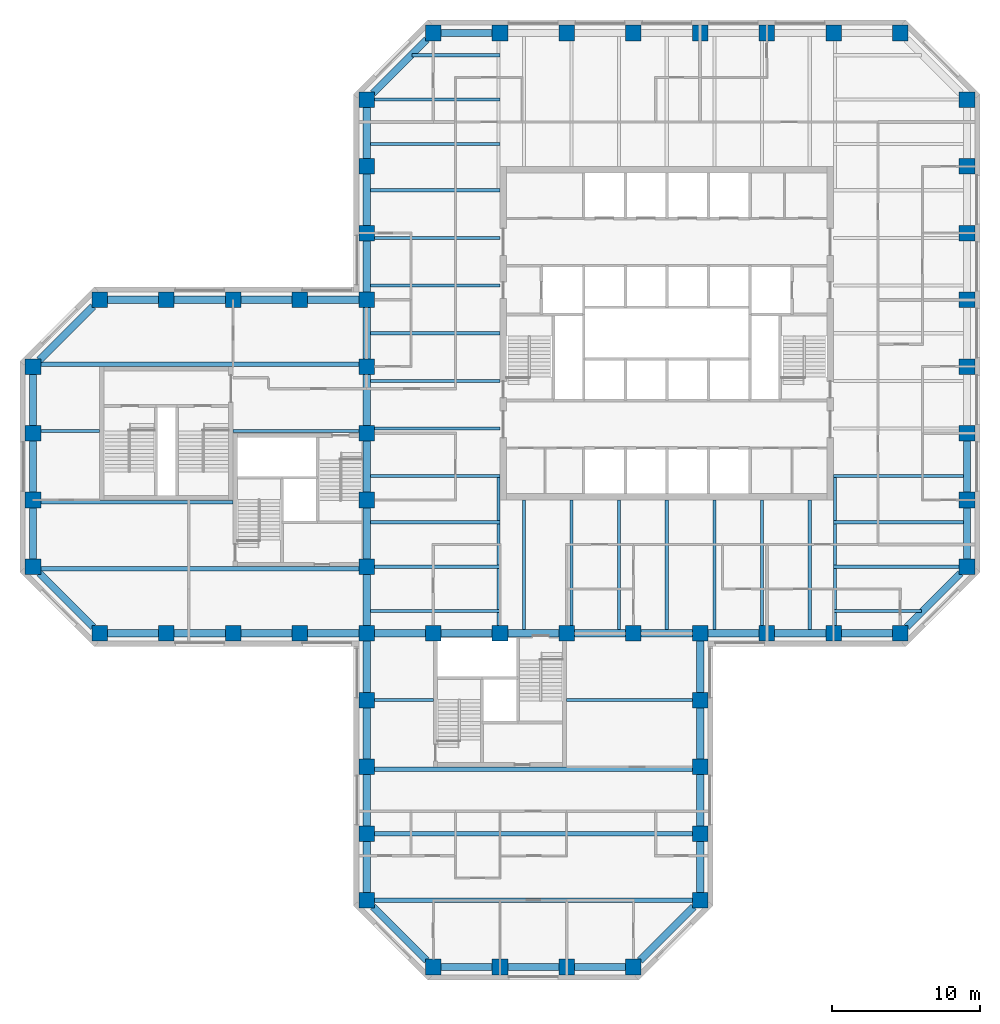
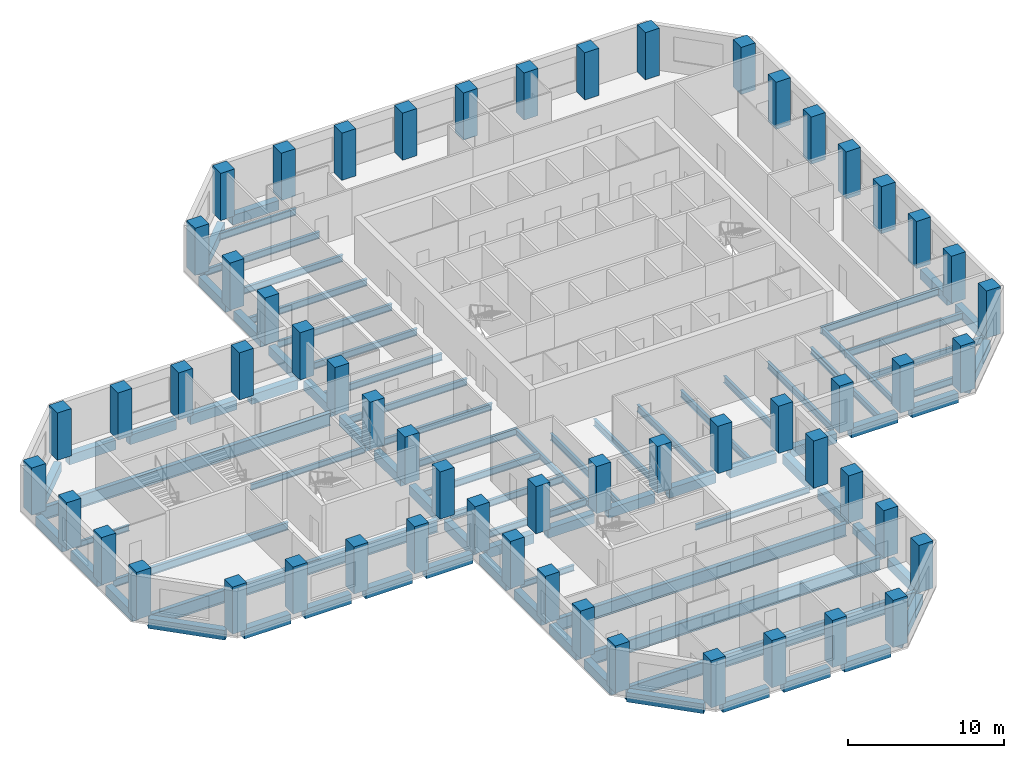
# One storey, part 1 of 11: 83 beams, 57 columns.
"""IFC4 building model written with IfcOpenShell, lengths in metres."""

from ifc_helpers import new_model, si_unit, direction, frame, origin, origin_2d, place, context, subcontext, project, spatial, rectangle, i_section, extrude, material, material_profile, profile_set, type_object, element, save


model = new_model("IFC4")

# Units and contexts
model_context = context("Model", 3, precision=1e-05, world=origin(), true_north=direction((0.0, 1.0)))
body_context = subcontext(model_context, "Body", "Model", "MODEL_VIEW")
ifc_project = project(units=[si_unit("LENGTHUNIT", "METRE"), si_unit("AREAUNIT", "SQUARE_METRE"), si_unit("VOLUMEUNIT", "CUBIC_METRE"), si_unit("PLANEANGLEUNIT", "RADIAN"), si_unit("MASSUNIT", "GRAM", prefix="KILO")], contexts=[model_context])

# Site, building, storey
site_placement = place(None, origin())
site = spatial("IfcSite", under=ifc_project, at=site_placement, CompositionType="ELEMENT")
building_placement = place(site_placement, origin())
building = spatial("IfcBuilding", under=site, at=building_placement, Name="Quoin Convention Tower", CompositionType="ELEMENT")
storey_placement = place(building_placement, frame((0.0, 0.0, 130.699951171875)))
storey = spatial("IfcBuildingStorey", under=building, at=storey_placement, Name="L34", CompositionType="ELEMENT", Elevation=130.699951171875)

# Columns
ifc_material_1 = material(Name="Concrete C65", Category="concrete")
ifc_material_profile_1 = material_profile(ifc_material_1, rectangle(XDim=1.050048828125, YDim=1.050048828125, at=origin_2d()), Name="RC 1050x1050")
ifc_profile_set_1 = profile_set([ifc_material_profile_1], Name="Concrete C65")
column_type = type_object("IfcColumnType", Name="RC 1050x1050 C65", PredefinedType="COLUMN", material=ifc_profile_set_1)
for number, where, z_axis, x_axis, name in (
    (1, (40.5, 18.0, 0.0), (0.0, 0.0, 1.0), (1.0, 0.0, 0.0), "col-L34-40500_18000"),
    (2, (45.0, 18.0, 0.0), (0.0, 0.0, 1.0), (1.0, 0.0, 0.0), "col-L34-45000_18000"),
    (3, (49.5, 18.0, 0.0), (0.0, 0.0, 1.0), (1.0, 0.0, 0.0), "col-L34-49500_18000"),
    (4, (54.0, 18.0, 0.0), (0.0, 0.0, 1.0), (1.0, 0.0, 0.0), "col-L34-54000_18000"),
    (5, (36.0, 22.5, 0.0), (0.0, 0.0, 1.0), (1.0, 0.0, 0.0), "col-L34-36000_22500"),
    (6, (58.5, 22.5, 0.0), (0.0, 0.0, 1.0), (1.0, 0.0, 0.0), "col-L34-58500_22500"),
    (7, (36.0, 27.0, 0.0), (0.0, 0.0, 1.0), (1.0, 0.0, 0.0), "col-L34-36000_27000"),
    (8, (58.5, 27.0, 0.0), (0.0, 0.0, 1.0), (1.0, 0.0, 0.0), "col-L34-58500_27000"),
    (9, (36.0, 31.5, 0.0), (0.0, 0.0, 1.0), (1.0, 0.0, 0.0), "col-L34-36000_31500"),
    (10, (58.5, 31.5, 0.0), (0.0, 0.0, 1.0), (1.0, 0.0, 0.0), "col-L34-58500_31500"),
    (11, (36.0, 36.0, 0.0), (0.0, 0.0, 1.0), (1.0, 0.0, 0.0), "col-L34-36000_36000"),
    (12, (58.5, 36.0, 0.0), (0.0, 0.0, 1.0), (1.0, 0.0, 0.0), "col-L34-58500_36000"),
    (13, (18.0, 40.5, 0.0), (0.0, 0.0, 1.0), (1.0, 0.0, 0.0), "col-L34-18000_40500"),
    (14, (22.5, 40.5, 0.0), (0.0, 0.0, 1.0), (1.0, 0.0, 0.0), "col-L34-22500_40500"),
    (15, (27.0, 40.5, 0.0), (0.0, 0.0, 1.0), (1.0, 0.0, 0.0), "col-L34-27000_40500"),
    (16, (31.5, 40.5, 0.0), (0.0, 0.0, 1.0), (1.0, 0.0, 0.0), "col-L34-31500_40500"),
    (17, (36.0, 40.5, 0.0), (0.0, 0.0, 1.0), (1.0, 0.0, 0.0), "col-L34-36000_40500"),
    (18, (40.5, 40.5, 0.0), (0.0, 0.0, 1.0), (1.0, 0.0, 0.0), "web-L34-40500_40500"),
    (19, (45.0, 40.5, 0.0), (0.0, 0.0, 1.0), (1.0, 0.0, 0.0), "web-L34-45000_40500"),
    (20, (49.5, 40.5, 0.0), (0.0, 0.0, 1.0), (1.0, 0.0, 0.0), "web-L34-49500_40500"),
    (21, (54.0, 40.5, 0.0), (0.0, 0.0, 1.0), (1.0, 0.0, 0.0), "web-L34-54000_40500"),
    (22, (58.5, 40.5, 0.0), (0.0, 0.0, 1.0), (1.0, 0.0, 0.0), "col-L34-58500_40500"),
    (23, (63.0, 40.5, 0.0), (0.0, 0.0, 1.0), (1.0, 0.0, 0.0), "col-L34-63000_40500"),
    (24, (67.5, 40.5, 0.0), (0.0, 0.0, 1.0), (1.0, 0.0, 0.0), "col-L34-67500_40500"),
    (25, (72.0, 40.5, 0.0), (0.0, 0.0, 1.0), (1.0, 0.0, 0.0), "col-L34-72000_40500"),
    (26, (13.5, 45.0, 0.0), (0.0, 0.0, 1.0), (1.0, 0.0, 0.0), "col-L34-13500_45000"),
    (27, (36.0, 45.0, 0.0), (0.0, 0.0, 1.0), (1.0, 0.0, 0.0), "web-L34-36000_45000"),
    (28, (76.5, 45.0, 0.0), (0.0, 0.0, 1.0), (1.0, 0.0, 0.0), "col-L34-76500_45000"),
    (29, (13.5, 49.5, 0.0), (0.0, 0.0, 1.0), (1.0, 0.0, 0.0), "col-L34-13500_49500"),
    (30, (36.0, 49.5, 0.0), (0.0, 0.0, 1.0), (1.0, 0.0, 0.0), "web-L34-36000_49500"),
    (31, (76.5, 49.5, 0.0), (0.0, 0.0, 1.0), (1.0, 0.0, 0.0), "col-L34-76500_49500"),
    (32, (13.5, 54.0, 0.0), (0.0, 0.0, 1.0), (1.0, 0.0, 0.0), "col-L34-13500_54000"),
    (33, (36.0, 54.0, 0.0), (0.0, 0.0, 1.0), (1.0, 0.0, 0.0), "web-L34-36000_54000"),
    (34, (76.5, 54.0, 0.0), (0.0, 0.0, 1.0), (1.0, 0.0, 0.0), "col-L34-76500_54000"),
    (35, (13.5, 58.5, 0.0), (0.0, 0.0, 1.0), (1.0, 0.0, 0.0), "col-L34-13500_58500"),
    (36, (36.0, 58.5, 0.0), (0.0, 0.0, 1.0), (1.0, 0.0, 0.0), "web-L34-36000_58500"),
    (37, (76.5, 58.5, 0.0), (0.0, 0.0, 1.0), (1.0, 0.0, 0.0), "col-L34-76500_58500"),
    (38, (18.0, 63.0, 0.0), (0.0, 0.0, 1.0), (1.0, 0.0, 0.0), "col-L34-18000_63000"),
    (39, (22.5, 63.0, 0.0), (0.0, 0.0, 1.0), (1.0, 0.0, 0.0), "col-L34-22500_63000"),
    (40, (27.0, 63.0, 0.0), (0.0, 0.0, 1.0), (1.0, 0.0, 0.0), "col-L34-27000_63000"),
    (41, (31.5, 63.0, 0.0), (0.0, 0.0, 1.0), (1.0, 0.0, 0.0), "col-L34-31500_63000"),
    (42, (36.0, 63.0, 0.0), (0.0, 0.0, 1.0), (1.0, 0.0, 0.0), "col-L34-36000_63000"),
    (43, (76.5, 63.0, 0.0), (0.0, 0.0, 1.0), (1.0, 0.0, 0.0), "col-L34-76500_63000"),
    (44, (36.0, 67.5, 0.0), (0.0, 0.0, 1.0), (1.0, 0.0, 0.0), "col-L34-36000_67500"),
    (45, (76.5, 67.5, 0.0), (0.0, 0.0, 1.0), (1.0, 0.0, 0.0), "col-L34-76500_67500"),
    (46, (36.0, 72.0, 0.0), (0.0, 0.0, 1.0), (1.0, 0.0, 0.0), "col-L34-36000_72000"),
    (47, (76.5, 72.0, 0.0), (0.0, 0.0, 1.0), (1.0, 0.0, 0.0), "col-L34-76500_72000"),
    (48, (36.0, 76.5, 0.0), (0.0, 0.0, 1.0), (1.0, 0.0, 0.0), "col-L34-36000_76500"),
    (49, (76.5, 76.5, 0.0), (0.0, 0.0, 1.0), (1.0, 0.0, 0.0), "col-L34-76500_76500"),
    (50, (40.5, 81.0, 0.0), (0.0, 0.0, 1.0), (1.0, 0.0, 0.0), "col-L34-40500_81000"),
    (51, (45.0, 81.0, 0.0), (0.0, 0.0, 1.0), (1.0, 0.0, 0.0), "col-L34-45000_81000"),
    (52, (49.5, 81.0, 0.0), (0.0, 0.0, 1.0), (1.0, 0.0, 0.0), "col-L34-49500_81000"),
    (53, (54.0, 81.0, 0.0), (0.0, 0.0, 1.0), (1.0, 0.0, 0.0), "col-L34-54000_81000"),
    (54, (58.5, 81.0, 0.0), (0.0, 0.0, 1.0), (1.0, 0.0, 0.0), "col-L34-58500_81000"),
    (55, (63.0, 81.0, 0.0), (0.0, 0.0, 1.0), (1.0, 0.0, 0.0), "col-L34-63000_81000"),
    (56, (67.5, 81.0, 0.0), (0.0, 0.0, 1.0), (1.0, 0.0, 0.0), "col-L34-67500_81000"),
    (57, (72.0, 81.0, 0.0), (0.0, 0.0, 1.0), (1.0, 0.0, 0.0), "col-L34-72000_81000"),
):
    element("IfcColumn", number, at=place(storey_placement, frame(where, z_axis=z_axis, x_axis=x_axis)), inside=storey, type_object=column_type, Name=name, PredefinedType="COLUMN", context=body_context, shape_type="SweptSolid", body=[
        extrude(rectangle(XDim=1.050048828125, YDim=1.050048828125, at=origin_2d()), origin(), (0.0, 0.0, 1.0), 3.699951171875),
    ])

# Beams
ifc_material_2 = material(Name="Steel Grade 300", Category="steel")
ifc_material_profile_2 = material_profile(ifc_material_2, i_section(OverallWidth=0.300048828125, OverallDepth=1.0, WebThickness=0.01611328125, FlangeThickness=0.02001953125, at=origin_2d()), Name="1000WB215")
ifc_profile_set_2 = profile_set([ifc_material_profile_2], Name="Steel Grade 300")
beam_type_1 = type_object("IfcBeamType", Name="1000WB215", PredefinedType="BEAM", material=ifc_profile_set_2)
for number, where, z_axis, x_axis, name in (
    (58, (36.52490234375, 22.5, -0.64990234375), (1.0, 0.0, 0.0), (0.0, 1.0, 0.0), "gir-L34-ST3-1-0"),
    (59, (36.52490234375, 27.0, -0.64990234375), (1.0, 0.0, 0.0), (0.0, 1.0, 0.0), "gir-L34-ST3-2-0"),
    (60, (36.52490234375, 31.35009765625, -0.64990234375), (1.0, 0.0, 0.0), (0.0, 1.0, 0.0), "gir-L34-ST3-3-0"),
    (61, (14.02490234375, 44.85009765625, -0.64990234375), (1.0, 0.0, 0.0), (0.0, 1.0, 0.0), "gir-L34-ST2-1-0"),
    (62, (14.02490234375, 58.64990234375, -0.64990234375), (1.0, 0.0, 0.0), (0.0, 1.0, 0.0), "gir-L34-ST2-4-0"),
):
    element("IfcBeam", number, at=place(storey_placement, frame(where, z_axis=z_axis, x_axis=x_axis)), inside=storey, type_object=beam_type_1, Name=name, PredefinedType="BEAM", context=body_context, shape_type="SweptSolid", body=[
        extrude(i_section(OverallWidth=0.300048828125, OverallDepth=1.0, WebThickness=0.01611328125, FlangeThickness=0.02001953125, at=origin_2d()), origin(), (0.0, 0.0, 1.0), 21.4501953125),
    ])
ifc_material_profile_3 = material_profile(ifc_material_2, i_section(OverallWidth=0.18994140625, OverallDepth=0.4541015625, WebThickness=0.008544921875, FlangeThickness=0.0126953125, FilletRadius=0.011474609375, at=origin_2d()), Name="460UB67.1")
ifc_profile_set_3 = profile_set([ifc_material_profile_3], Name="Steel Grade 300")
beam_type_2 = type_object("IfcBeamType", Name="460UB67.1", PredefinedType="BEAM", material=ifc_profile_set_3)
for number, where, z_axis, x_axis, name in (
    (63, (44.8955078125, 41.02490234375, -0.376953125), (0.0, 1.0, 0.0), (-1.0, 0.0, 0.0), "gir-L34-T1SW"),
    (64, (67.6044921875, 41.02490234375, -0.376953125), (0.0, 1.0, 0.0), (-1.0, 0.0, 0.0), "gir-L34-T1SE"),
):
    element("IfcBeam", number, at=place(storey_placement, frame(where, z_axis=z_axis, x_axis=x_axis)), inside=storey, type_object=beam_type_2, Name=name, PredefinedType="BEAM", context=body_context, shape_type="SweptSolid", body=[
        extrude(i_section(OverallWidth=0.18994140625, OverallDepth=0.4541015625, WebThickness=0.008544921875, FlangeThickness=0.0126953125, FilletRadius=0.011474609375, at=origin_2d()), origin(), (0.0, 0.0, 1.0), 9.977783203125),
    ])
beam_1_placement = place(storey_placement, frame((36.52490234375, 36.0, -0.376953125), z_axis=(1.0, 0.0, 0.0), x_axis=(0.0, 1.0, 0.0)))
element("IfcBeam", 65, at=beam_1_placement, inside=storey, type_object=beam_type_2, Name="gir-L34-ST3-4-0", PredefinedType="BEAM", context=body_context, shape_type="SweptSolid", body=[
    extrude(i_section(OverallWidth=0.18994140625, OverallDepth=0.4541015625, WebThickness=0.008544921875, FlangeThickness=0.0126953125, FilletRadius=0.011474609375, at=origin_2d()), origin(), (0.0, 0.0, 1.0), 3.97509765625),
])
beam_2_placement = place(storey_placement, frame((49.5, 36.0, -0.376953125), z_axis=(1.0, 0.0, 0.0), x_axis=(0.0, 1.0, 0.0)))
element("IfcBeam", 66, at=beam_2_placement, inside=storey, type_object=beam_type_2, Name="gir-L34-ST3-4-1", PredefinedType="BEAM", context=body_context, shape_type="SweptSolid", body=[
    extrude(i_section(OverallWidth=0.18994140625, OverallDepth=0.4541015625, WebThickness=0.008544921875, FlangeThickness=0.0126953125, FilletRadius=0.011474609375, at=origin_2d()), origin(), (0.0, 0.0, 1.0), 8.47509765625),
])
beam_3_placement = place(storey_placement, frame((14.02490234375, 54.14990234375, -0.376953125), z_axis=(1.0, 0.0, 0.0), x_axis=(0.0, 1.0, 0.0)))
element("IfcBeam", 67, at=beam_3_placement, inside=storey, type_object=beam_type_2, Name="gir-L34-ST2-3-0", PredefinedType="BEAM", context=body_context, shape_type="SweptSolid", body=[
    extrude(i_section(OverallWidth=0.18994140625, OverallDepth=0.4541015625, WebThickness=0.008544921875, FlangeThickness=0.0126953125, FilletRadius=0.011474609375, at=origin_2d()), origin(), (0.0, 0.0, 1.0), 3.97509765625),
])
beam_4_placement = place(storey_placement, frame((27.0, 54.14990234375, -0.376953125), z_axis=(1.0, 0.0, 0.0), x_axis=(0.0, 1.0, 0.0)))
element("IfcBeam", 68, at=beam_4_placement, inside=storey, type_object=beam_type_2, Name="gir-L34-ST2-3-1", PredefinedType="BEAM", context=body_context, shape_type="SweptSolid", body=[
    extrude(i_section(OverallWidth=0.18994140625, OverallDepth=0.4541015625, WebThickness=0.008544921875, FlangeThickness=0.0126953125, FilletRadius=0.011474609375, at=origin_2d()), origin(), (0.0, 0.0, 1.0), 8.47509765625),
])
ifc_material_profile_4 = material_profile(ifc_material_2, i_section(OverallWidth=0.208984375, OverallDepth=0.528076171875, WebThickness=0.009521484375, FlangeThickness=0.01318359375, FilletRadius=0.013916015625, at=origin_2d()), Name="530UB82.0")
ifc_profile_set_4 = profile_set([ifc_material_profile_4], Name="Steel Grade 300")
beam_type_3 = type_object("IfcBeamType", Name="530UB82.0", PredefinedType="BEAM", material=ifc_profile_set_4)
beam_5_placement = place(storey_placement, frame((36.25, 51.107177734375, -0.4140625), z_axis=(1.0, 0.0, 0.0), x_axis=(0.0, 1.0, 0.0)))
element("IfcBeam", 69, at=beam_5_placement, inside=storey, type_object=beam_type_3, Name="bm-L34-T1W0", PredefinedType="BEAM", context=body_context, shape_type="SweptSolid", body=[
    extrude(i_section(OverallWidth=0.208984375, OverallDepth=0.528076171875, WebThickness=0.009521484375, FlangeThickness=0.01318359375, FilletRadius=0.013916015625, at=origin_2d()), origin(), (0.0, 0.0, 1.0), 8.75),
])
beam_6_placement = place(storey_placement, frame((36.52490234375, 54.3212890625, -0.4140625), z_axis=(1.0, 0.0, 0.0), x_axis=(0.0, 1.0, 0.0)))
element("IfcBeam", 70, at=beam_6_placement, inside=storey, type_object=beam_type_3, Name="bm-L34-T1W1", PredefinedType="BEAM", context=body_context, shape_type="SweptSolid", body=[
    extrude(i_section(OverallWidth=0.208984375, OverallDepth=0.528076171875, WebThickness=0.009521484375, FlangeThickness=0.01318359375, FilletRadius=0.013916015625, at=origin_2d()), origin(), (0.0, 0.0, 1.0), 8.47509765625),
])
for number, where, z_axis, x_axis, name in (
    (71, (36.25, 57.53564453125, -0.4140625), (1.0, 0.0, 0.0), (0.0, 1.0, 0.0), "bm-L34-T1W2"),
    (72, (36.25, 60.75, -0.4140625), (1.0, 0.0, 0.0), (0.0, 1.0, 0.0), "bm-L34-T1W3"),
    (73, (36.25, 63.96435546875, -0.4140625), (1.0, 0.0, 0.0), (0.0, 1.0, 0.0), "bm-L34-T1W4"),
):
    element("IfcBeam", number, at=place(storey_placement, frame(where, z_axis=z_axis, x_axis=x_axis)), inside=storey, type_object=beam_type_3, Name=name, PredefinedType="BEAM", context=body_context, shape_type="SweptSolid", body=[
        extrude(i_section(OverallWidth=0.208984375, OverallDepth=0.528076171875, WebThickness=0.009521484375, FlangeThickness=0.01318359375, FilletRadius=0.013916015625, at=origin_2d()), origin(), (0.0, 0.0, 1.0), 8.75),
    ])
beam_7_placement = place(storey_placement, frame((36.52490234375, 67.1787109375, -0.4140625), z_axis=(1.0, 0.0, 0.0), x_axis=(0.0, 1.0, 0.0)))
element("IfcBeam", 74, at=beam_7_placement, inside=storey, type_object=beam_type_3, Name="bm-L34-T1W5", PredefinedType="BEAM", context=body_context, shape_type="SweptSolid", body=[
    extrude(i_section(OverallWidth=0.208984375, OverallDepth=0.528076171875, WebThickness=0.009521484375, FlangeThickness=0.01318359375, FilletRadius=0.013916015625, at=origin_2d()), origin(), (0.0, 0.0, 1.0), 8.47509765625),
])
for number, where, z_axis, x_axis, name in (
    (75, (36.25, 70.392822265625, -0.4140625), (1.0, 0.0, 0.0), (0.0, 1.0, 0.0), "bm-L34-T1W6"),
    (76, (67.5, 51.107177734375, -0.4140625), (1.0, 0.0, 0.0), (0.0, 1.0, 0.0), "bm-L34-T1E0"),
    (77, (46.607177734375, 40.75, -0.4140625), (0.0, 1.0, 0.0), (-1.0, 0.0, 0.0), "bm-L34-T1S0"),
):
    element("IfcBeam", number, at=place(storey_placement, frame(where, z_axis=z_axis, x_axis=x_axis)), inside=storey, type_object=beam_type_3, Name=name, PredefinedType="BEAM", context=body_context, shape_type="SweptSolid", body=[
        extrude(i_section(OverallWidth=0.208984375, OverallDepth=0.528076171875, WebThickness=0.009521484375, FlangeThickness=0.01318359375, FilletRadius=0.013916015625, at=origin_2d()), origin(), (0.0, 0.0, 1.0), 8.75),
    ])
beam_8_placement = place(storey_placement, frame((49.8212890625, 41.02490234375, -0.4140625), z_axis=(0.0, 1.0, 0.0), x_axis=(-1.0, 0.0, 0.0)))
element("IfcBeam", 78, at=beam_8_placement, inside=storey, type_object=beam_type_3, Name="bm-L34-T1S1", PredefinedType="BEAM", context=body_context, shape_type="SweptSolid", body=[
    extrude(i_section(OverallWidth=0.208984375, OverallDepth=0.528076171875, WebThickness=0.009521484375, FlangeThickness=0.01318359375, FilletRadius=0.013916015625, at=origin_2d()), origin(), (0.0, 0.0, 1.0), 8.47509765625),
])
for number, where, z_axis, x_axis, name in (
    (79, (53.03564453125, 40.75, -0.4140625), (0.0, 1.0, 0.0), (-1.0, 0.0, 0.0), "bm-L34-T1S2"),
    (80, (56.25, 40.75, -0.4140625), (0.0, 1.0, 0.0), (-1.0, 0.0, 0.0), "bm-L34-T1S3"),
    (81, (59.46435546875, 40.75, -0.4140625), (0.0, 1.0, 0.0), (-1.0, 0.0, 0.0), "bm-L34-T1S4"),
):
    element("IfcBeam", number, at=place(storey_placement, frame(where, z_axis=z_axis, x_axis=x_axis)), inside=storey, type_object=beam_type_3, Name=name, PredefinedType="BEAM", context=body_context, shape_type="SweptSolid", body=[
        extrude(i_section(OverallWidth=0.208984375, OverallDepth=0.528076171875, WebThickness=0.009521484375, FlangeThickness=0.01318359375, FilletRadius=0.013916015625, at=origin_2d()), origin(), (0.0, 0.0, 1.0), 8.75),
    ])
beam_9_placement = place(storey_placement, frame((62.6787109375, 41.02490234375, -0.4140625), z_axis=(0.0, 1.0, 0.0), x_axis=(-1.0, 0.0, 0.0)))
element("IfcBeam", 82, at=beam_9_placement, inside=storey, type_object=beam_type_3, Name="bm-L34-T1S5", PredefinedType="BEAM", context=body_context, shape_type="SweptSolid", body=[
    extrude(i_section(OverallWidth=0.208984375, OverallDepth=0.528076171875, WebThickness=0.009521484375, FlangeThickness=0.01318359375, FilletRadius=0.013916015625, at=origin_2d()), origin(), (0.0, 0.0, 1.0), 8.47509765625),
])
for number, where, z_axis, x_axis, name in (
    (83, (65.892822265625, 40.75, -0.4140625), (0.0, 1.0, 0.0), (-1.0, 0.0, 0.0), "bm-L34-T1S6"),
    (84, (36.25, 42.0, -0.4140625), (1.0, 0.0, 0.0), (0.0, 1.0, 0.0), "bm-L34-T1SW0"),
):
    element("IfcBeam", number, at=place(storey_placement, frame(where, z_axis=z_axis, x_axis=x_axis)), inside=storey, type_object=beam_type_3, Name=name, PredefinedType="BEAM", context=body_context, shape_type="SweptSolid", body=[
        extrude(i_section(OverallWidth=0.208984375, OverallDepth=0.528076171875, WebThickness=0.009521484375, FlangeThickness=0.01318359375, FilletRadius=0.013916015625, at=origin_2d()), origin(), (0.0, 0.0, 1.0), 8.75),
    ])
beam_10_placement = place(storey_placement, frame((36.52490234375, 45.0, -0.4140625), z_axis=(1.0, 0.0, 0.0), x_axis=(0.0, 1.0, 0.0)))
element("IfcBeam", 85, at=beam_10_placement, inside=storey, type_object=beam_type_3, Name="bm-L34-T1SW1", PredefinedType="BEAM", context=body_context, shape_type="SweptSolid", body=[
    extrude(i_section(OverallWidth=0.208984375, OverallDepth=0.528076171875, WebThickness=0.009521484375, FlangeThickness=0.01318359375, FilletRadius=0.013916015625, at=origin_2d()), origin(), (0.0, 0.0, 1.0), 8.47509765625),
])
beam_11_placement = place(storey_placement, frame((36.25, 48.0, -0.4140625), z_axis=(1.0, 0.0, 0.0), x_axis=(0.0, 1.0, 0.0)))
element("IfcBeam", 86, at=beam_11_placement, inside=storey, type_object=beam_type_3, Name="bm-L34-T1SW2", PredefinedType="BEAM", context=body_context, shape_type="SweptSolid", body=[
    extrude(i_section(OverallWidth=0.208984375, OverallDepth=0.528076171875, WebThickness=0.009521484375, FlangeThickness=0.01318359375, FilletRadius=0.013916015625, at=origin_2d()), origin(), (0.0, 0.0, 1.0), 8.75),
])
beam_12_placement = place(storey_placement, frame((67.5, 42.0, -0.4140625), z_axis=(1.0, 0.0, 0.0), x_axis=(0.0, 1.0, 0.0)))
element("IfcBeam", 87, at=beam_12_placement, inside=storey, type_object=beam_type_3, Name="bm-L34-T1SE0", PredefinedType="BEAM", context=body_context, shape_type="SweptSolid", body=[
    extrude(i_section(OverallWidth=0.208984375, OverallDepth=0.528076171875, WebThickness=0.009521484375, FlangeThickness=0.01318359375, FilletRadius=0.013916015625, at=origin_2d()), origin(), (0.0, 0.0, 1.0), 5.927734375),
])
beam_13_placement = place(storey_placement, frame((67.5, 45.0, -0.4140625), z_axis=(1.0, 0.0, 0.0), x_axis=(0.0, 1.0, 0.0)))
element("IfcBeam", 88, at=beam_13_placement, inside=storey, type_object=beam_type_3, Name="bm-L34-T1SE1", PredefinedType="BEAM", context=body_context, shape_type="SweptSolid", body=[
    extrude(i_section(OverallWidth=0.208984375, OverallDepth=0.528076171875, WebThickness=0.009521484375, FlangeThickness=0.01318359375, FilletRadius=0.013916015625, at=origin_2d()), origin(), (0.0, 0.0, 1.0), 8.47509765625),
])
beam_14_placement = place(storey_placement, frame((67.5, 48.0, -0.4140625), z_axis=(1.0, 0.0, 0.0), x_axis=(0.0, 1.0, 0.0)))
element("IfcBeam", 89, at=beam_14_placement, inside=storey, type_object=beam_type_3, Name="bm-L34-T1SE2", PredefinedType="BEAM", context=body_context, shape_type="SweptSolid", body=[
    extrude(i_section(OverallWidth=0.208984375, OverallDepth=0.528076171875, WebThickness=0.009521484375, FlangeThickness=0.01318359375, FilletRadius=0.013916015625, at=origin_2d()), origin(), (0.0, 0.0, 1.0), 8.75),
])
beam_15_placement = place(storey_placement, frame((39.072265625, 79.5, -0.4140625), z_axis=(1.0, 0.0, 0.0), x_axis=(0.0, 1.0, 0.0)))
element("IfcBeam", 90, at=beam_15_placement, inside=storey, type_object=beam_type_3, Name="bm-L34-T1NW0", PredefinedType="BEAM", context=body_context, shape_type="SweptSolid", body=[
    extrude(i_section(OverallWidth=0.208984375, OverallDepth=0.528076171875, WebThickness=0.009521484375, FlangeThickness=0.01318359375, FilletRadius=0.013916015625, at=origin_2d()), origin(), (0.0, 0.0, 1.0), 5.927734375),
])
beam_16_placement = place(storey_placement, frame((36.52490234375, 76.5, -0.4140625), z_axis=(1.0, 0.0, 0.0), x_axis=(0.0, 1.0, 0.0)))
element("IfcBeam", 91, at=beam_16_placement, inside=storey, type_object=beam_type_3, Name="bm-L34-T1NW1", PredefinedType="BEAM", context=body_context, shape_type="SweptSolid", body=[
    extrude(i_section(OverallWidth=0.208984375, OverallDepth=0.528076171875, WebThickness=0.009521484375, FlangeThickness=0.01318359375, FilletRadius=0.013916015625, at=origin_2d()), origin(), (0.0, 0.0, 1.0), 8.47509765625),
])
beam_17_placement = place(storey_placement, frame((36.25, 73.5, -0.4140625), z_axis=(1.0, 0.0, 0.0), x_axis=(0.0, 1.0, 0.0)))
element("IfcBeam", 92, at=beam_17_placement, inside=storey, type_object=beam_type_3, Name="bm-L34-T1NW2", PredefinedType="BEAM", context=body_context, shape_type="SweptSolid", body=[
    extrude(i_section(OverallWidth=0.208984375, OverallDepth=0.528076171875, WebThickness=0.009521484375, FlangeThickness=0.01318359375, FilletRadius=0.013916015625, at=origin_2d()), origin(), (0.0, 0.0, 1.0), 8.75),
])
ifc_material_profile_5 = material_profile(ifc_material_2, i_section(OverallWidth=0.22802734375, OverallDepth=0.60205078125, WebThickness=0.010498046875, FlangeThickness=0.014892578125, FilletRadius=0.013916015625, at=origin_2d()), Name="610UB101")
ifc_profile_set_5 = profile_set([ifc_material_profile_5], Name="Steel Grade 300")
beam_type_4 = type_object("IfcBeamType", Name="610UB101", PredefinedType="BEAM", material=ifc_profile_set_5)
beam_18_placement = place(storey_placement, frame((14.02490234375, 49.35009765625, -0.450927734375), z_axis=(1.0, 0.0, 0.0), x_axis=(0.0, 1.0, 0.0)))
element("IfcBeam", 93, at=beam_18_placement, inside=storey, type_object=beam_type_4, Name="gir-L34-ST2-2-0", PredefinedType="BEAM", context=body_context, shape_type="SweptSolid", body=[
    extrude(i_section(OverallWidth=0.22802734375, OverallDepth=0.60205078125, WebThickness=0.010498046875, FlangeThickness=0.014892578125, FilletRadius=0.013916015625, at=origin_2d()), origin(), (0.0, 0.0, 1.0), 12.97509765625),
])
ifc_material_profile_6 = material_profile(ifc_material_1, rectangle(XDim=0.5, YDim=0.75, at=origin_2d()), Name="RC 500x750")
ifc_profile_set_6 = profile_set([ifc_material_profile_6], Name="Concrete C65")
beam_type_5 = type_object("IfcBeamType", Name="RC 500x750 C65", PredefinedType="SPANDREL", material=ifc_profile_set_6)
for number, where, z_axis, x_axis, name in (
    (94, (59.02490234375, 40.5, -0.52490234375), (1.0, 0.0, 0.0), (0.0, 1.0, 0.0), "spd-L34-58500_40500-63000_40500"),
    (95, (63.52490234375, 40.5, -0.52490234375), (1.0, 0.0, 0.0), (0.0, 1.0, 0.0), "spd-L34-63000_40500-67500_40500"),
    (96, (68.02490234375, 40.5, -0.52490234375), (1.0, 0.0, 0.0), (0.0, 1.0, 0.0), "spd-L34-67500_40500-72000_40500"),
):
    element("IfcBeam", number, at=place(storey_placement, frame(where, z_axis=z_axis, x_axis=x_axis)), inside=storey, type_object=beam_type_5, Name=name, PredefinedType="SPANDREL", context=body_context, shape_type="SweptSolid", body=[
        extrude(rectangle(XDim=0.5, YDim=0.75, at=origin_2d()), origin(), (0.0, 0.0, 1.0), 3.4501953125),
    ])
beam_19_placement = place(storey_placement, frame((72.440185546875, 40.940185546875, -0.52490234375), z_axis=(0.707106781187, 0.707106781187, 0.0), x_axis=(-0.707106781187, 0.707106781187, 0.0)))
element("IfcBeam", 97, at=beam_19_placement, inside=storey, type_object=beam_type_5, Name="spd-L34-72000_40500-76500_45000", PredefinedType="SPANDREL", context=body_context, shape_type="SweptSolid", body=[
    extrude(rectangle(XDim=0.5, YDim=0.75, at=origin_2d()), origin(), (0.0, 0.0, 1.0), 5.118896484375),
])
for number, where, z_axis, x_axis, name in (
    (98, (76.5, 45.52490234375, -0.52490234375), (0.0, 1.0, 0.0), (-1.0, 0.0, 0.0), "spd-L34-76500_45000-76500_49500"),
    (99, (76.5, 50.02490234375, -0.52490234375), (0.0, 1.0, 0.0), (-1.0, 0.0, 0.0), "spd-L34-76500_49500-76500_54000"),
    (100, (44.47509765625, 81.0, -0.52490234375), (-1.0, 0.0, 0.0), (0.0, -1.0, 0.0), "spd-L34-45000_81000-40500_81000"),
):
    element("IfcBeam", number, at=place(storey_placement, frame(where, z_axis=z_axis, x_axis=x_axis)), inside=storey, type_object=beam_type_5, Name=name, PredefinedType="SPANDREL", context=body_context, shape_type="SweptSolid", body=[
        extrude(rectangle(XDim=0.5, YDim=0.75, at=origin_2d()), origin(), (0.0, 0.0, 1.0), 3.4501953125),
    ])
beam_20_placement = place(storey_placement, frame((40.059814453125, 80.559814453125, -0.52490234375), z_axis=(-0.707106781187, -0.707106781187, 0.0), x_axis=(0.707106781187, -0.707106781187, 0.0)))
element("IfcBeam", 101, at=beam_20_placement, inside=storey, type_object=beam_type_5, Name="spd-L34-40500_81000-36000_76500", PredefinedType="SPANDREL", context=body_context, shape_type="SweptSolid", body=[
    extrude(rectangle(XDim=0.5, YDim=0.75, at=origin_2d()), origin(), (0.0, 0.0, 1.0), 5.118896484375),
])
for number, where, z_axis, x_axis, name in (
    (102, (36.0, 75.97509765625, -0.52490234375), (0.0, -1.0, 0.0), (1.0, 0.0, 0.0), "spd-L34-36000_76500-36000_72000"),
    (103, (36.0, 71.47509765625, -0.52490234375), (0.0, -1.0, 0.0), (1.0, 0.0, 0.0), "spd-L34-36000_72000-36000_67500"),
    (104, (36.0, 66.97509765625, -0.52490234375), (0.0, -1.0, 0.0), (1.0, 0.0, 0.0), "spd-L34-36000_67500-36000_63000"),
    (105, (35.47509765625, 63.0, -0.52490234375), (-1.0, 0.0, 0.0), (0.0, -1.0, 0.0), "spd-L34-36000_63000-31500_63000"),
    (106, (30.97509765625, 63.0, -0.52490234375), (-1.0, 0.0, 0.0), (0.0, -1.0, 0.0), "spd-L34-31500_63000-27000_63000"),
    (107, (26.47509765625, 63.0, -0.52490234375), (-1.0, 0.0, 0.0), (0.0, -1.0, 0.0), "spd-L34-27000_63000-22500_63000"),
    (108, (21.97509765625, 63.0, -0.52490234375), (-1.0, 0.0, 0.0), (0.0, -1.0, 0.0), "spd-L34-22500_63000-18000_63000"),
):
    element("IfcBeam", number, at=place(storey_placement, frame(where, z_axis=z_axis, x_axis=x_axis)), inside=storey, type_object=beam_type_5, Name=name, PredefinedType="SPANDREL", context=body_context, shape_type="SweptSolid", body=[
        extrude(rectangle(XDim=0.5, YDim=0.75, at=origin_2d()), origin(), (0.0, 0.0, 1.0), 3.4501953125),
    ])
beam_21_placement = place(storey_placement, frame((17.559814453125, 62.559814453125, -0.52490234375), z_axis=(-0.707106781187, -0.707106781187, 0.0), x_axis=(0.707106781187, -0.707106781187, 0.0)))
element("IfcBeam", 109, at=beam_21_placement, inside=storey, type_object=beam_type_5, Name="spd-L34-18000_63000-13500_58500", PredefinedType="SPANDREL", context=body_context, shape_type="SweptSolid", body=[
    extrude(rectangle(XDim=0.5, YDim=0.75, at=origin_2d()), origin(), (0.0, 0.0, 1.0), 5.118896484375),
])
for number, where, z_axis, x_axis, name in (
    (110, (13.5, 57.97509765625, -0.52490234375), (0.0, -1.0, 0.0), (1.0, 0.0, 0.0), "spd-L34-13500_58500-13500_54000"),
    (111, (13.5, 53.47509765625, -0.52490234375), (0.0, -1.0, 0.0), (1.0, 0.0, 0.0), "spd-L34-13500_54000-13500_49500"),
    (112, (13.5, 48.97509765625, -0.52490234375), (0.0, -1.0, 0.0), (1.0, 0.0, 0.0), "spd-L34-13500_49500-13500_45000"),
):
    element("IfcBeam", number, at=place(storey_placement, frame(where, z_axis=z_axis, x_axis=x_axis)), inside=storey, type_object=beam_type_5, Name=name, PredefinedType="SPANDREL", context=body_context, shape_type="SweptSolid", body=[
        extrude(rectangle(XDim=0.5, YDim=0.75, at=origin_2d()), origin(), (0.0, 0.0, 1.0), 3.4501953125),
    ])
beam_22_placement = place(storey_placement, frame((13.940185546875, 44.559814453125, -0.52490234375), z_axis=(0.707106781187, -0.707106781187, 0.0), x_axis=(0.707106781187, 0.707106781187, 0.0)))
element("IfcBeam", 113, at=beam_22_placement, inside=storey, type_object=beam_type_5, Name="spd-L34-13500_45000-18000_40500", PredefinedType="SPANDREL", context=body_context, shape_type="SweptSolid", body=[
    extrude(rectangle(XDim=0.5, YDim=0.75, at=origin_2d()), origin(), (0.0, 0.0, 1.0), 5.118896484375),
])
for number, where, z_axis, x_axis, name in (
    (114, (18.52490234375, 40.5, -0.52490234375), (1.0, 0.0, 0.0), (0.0, 1.0, 0.0), "spd-L34-18000_40500-22500_40500"),
    (115, (23.02490234375, 40.5, -0.52490234375), (1.0, 0.0, 0.0), (0.0, 1.0, 0.0), "spd-L34-22500_40500-27000_40500"),
    (116, (27.52490234375, 40.5, -0.52490234375), (1.0, 0.0, 0.0), (0.0, 1.0, 0.0), "spd-L34-27000_40500-31500_40500"),
    (117, (32.02490234375, 40.5, -0.52490234375), (1.0, 0.0, 0.0), (0.0, 1.0, 0.0), "spd-L34-31500_40500-36000_40500"),
    (118, (36.0, 39.97509765625, -0.52490234375), (0.0, -1.0, 0.0), (1.0, 0.0, 0.0), "spd-L34-36000_40500-36000_36000"),
    (119, (36.0, 35.47509765625, -0.52490234375), (0.0, -1.0, 0.0), (1.0, 0.0, 0.0), "spd-L34-36000_36000-36000_31500"),
    (120, (36.0, 30.97509765625, -0.52490234375), (0.0, -1.0, 0.0), (1.0, 0.0, 0.0), "spd-L34-36000_31500-36000_27000"),
    (121, (36.0, 26.47509765625, -0.52490234375), (0.0, -1.0, 0.0), (1.0, 0.0, 0.0), "spd-L34-36000_27000-36000_22500"),
):
    element("IfcBeam", number, at=place(storey_placement, frame(where, z_axis=z_axis, x_axis=x_axis)), inside=storey, type_object=beam_type_5, Name=name, PredefinedType="SPANDREL", context=body_context, shape_type="SweptSolid", body=[
        extrude(rectangle(XDim=0.5, YDim=0.75, at=origin_2d()), origin(), (0.0, 0.0, 1.0), 3.4501953125),
    ])
beam_23_placement = place(storey_placement, frame((36.440185546875, 22.059814453125, -0.52490234375), z_axis=(0.707106781187, -0.707106781187, 0.0), x_axis=(0.707106781187, 0.707106781187, 0.0)))
element("IfcBeam", 122, at=beam_23_placement, inside=storey, type_object=beam_type_5, Name="spd-L34-36000_22500-40500_18000", PredefinedType="SPANDREL", context=body_context, shape_type="SweptSolid", body=[
    extrude(rectangle(XDim=0.5, YDim=0.75, at=origin_2d()), origin(), (0.0, 0.0, 1.0), 5.118896484375),
])
for number, where, z_axis, x_axis, name in (
    (123, (41.02490234375, 18.0, -0.52490234375), (1.0, 0.0, 0.0), (0.0, 1.0, 0.0), "spd-L34-40500_18000-45000_18000"),
    (124, (45.52490234375, 18.0, -0.52490234375), (1.0, 0.0, 0.0), (0.0, 1.0, 0.0), "spd-L34-45000_18000-49500_18000"),
    (125, (50.02490234375, 18.0, -0.52490234375), (1.0, 0.0, 0.0), (0.0, 1.0, 0.0), "spd-L34-49500_18000-54000_18000"),
):
    element("IfcBeam", number, at=place(storey_placement, frame(where, z_axis=z_axis, x_axis=x_axis)), inside=storey, type_object=beam_type_5, Name=name, PredefinedType="SPANDREL", context=body_context, shape_type="SweptSolid", body=[
        extrude(rectangle(XDim=0.5, YDim=0.75, at=origin_2d()), origin(), (0.0, 0.0, 1.0), 3.4501953125),
    ])
beam_24_placement = place(storey_placement, frame((54.440185546875, 18.440185546875, -0.52490234375), z_axis=(0.707106781187, 0.707106781187, 0.0), x_axis=(-0.707106781187, 0.707106781187, 0.0)))
element("IfcBeam", 126, at=beam_24_placement, inside=storey, type_object=beam_type_5, Name="spd-L34-54000_18000-58500_22500", PredefinedType="SPANDREL", context=body_context, shape_type="SweptSolid", body=[
    extrude(rectangle(XDim=0.5, YDim=0.75, at=origin_2d()), origin(), (0.0, 0.0, 1.0), 5.118896484375),
])
for number, where, z_axis, x_axis, name in (
    (127, (58.5, 23.02490234375, -0.52490234375), (0.0, 1.0, 0.0), (-1.0, 0.0, 0.0), "spd-L34-58500_22500-58500_27000"),
    (128, (58.5, 27.52490234375, -0.52490234375), (0.0, 1.0, 0.0), (-1.0, 0.0, 0.0), "spd-L34-58500_27000-58500_31500"),
    (129, (58.5, 32.02490234375, -0.52490234375), (0.0, 1.0, 0.0), (-1.0, 0.0, 0.0), "spd-L34-58500_31500-58500_36000"),
    (130, (58.5, 36.52490234375, -0.52490234375), (0.0, 1.0, 0.0), (-1.0, 0.0, 0.0), "spd-L34-58500_36000-58500_40500"),
    (131, (36.52490234375, 40.5, -0.52490234375), (1.0, 0.0, 0.0), (0.0, 1.0, 0.0), "spd-L34-36000_40500-40500_40500"),
    (132, (41.02490234375, 40.5, -0.52490234375), (1.0, 0.0, 0.0), (0.0, 1.0, 0.0), "spd-L34-40500_40500-45000_40500"),
    (133, (45.52490234375, 40.5, -0.52490234375), (1.0, 0.0, 0.0), (0.0, 1.0, 0.0), "spd-L34-45000_40500-49500_40500"),
    (134, (50.02490234375, 40.5, -0.52490234375), (1.0, 0.0, 0.0), (0.0, 1.0, 0.0), "spd-L34-49500_40500-54000_40500"),
    (135, (54.52490234375, 40.5, -0.52490234375), (1.0, 0.0, 0.0), (0.0, 1.0, 0.0), "spd-L34-54000_40500-58500_40500"),
    (136, (36.0, 41.02490234375, -0.52490234375), (0.0, 1.0, 0.0), (-1.0, 0.0, 0.0), "spd-L34-36000_40500-36000_45000"),
    (137, (36.0, 45.52490234375, -0.52490234375), (0.0, 1.0, 0.0), (-1.0, 0.0, 0.0), "spd-L34-36000_45000-36000_49500"),
    (138, (36.0, 50.02490234375, -0.52490234375), (0.0, 1.0, 0.0), (-1.0, 0.0, 0.0), "spd-L34-36000_49500-36000_54000"),
    (139, (36.0, 54.52490234375, -0.52490234375), (0.0, 1.0, 0.0), (-1.0, 0.0, 0.0), "spd-L34-36000_54000-36000_58500"),
    (140, (36.0, 59.02490234375, -0.52490234375), (0.0, 1.0, 0.0), (-1.0, 0.0, 0.0), "spd-L34-36000_58500-36000_63000"),
):
    element("IfcBeam", number, at=place(storey_placement, frame(where, z_axis=z_axis, x_axis=x_axis)), inside=storey, type_object=beam_type_5, Name=name, PredefinedType="SPANDREL", context=body_context, shape_type="SweptSolid", body=[
        extrude(rectangle(XDim=0.5, YDim=0.75, at=origin_2d()), origin(), (0.0, 0.0, 1.0), 3.4501953125),
    ])

save(model, "model.ifc")
